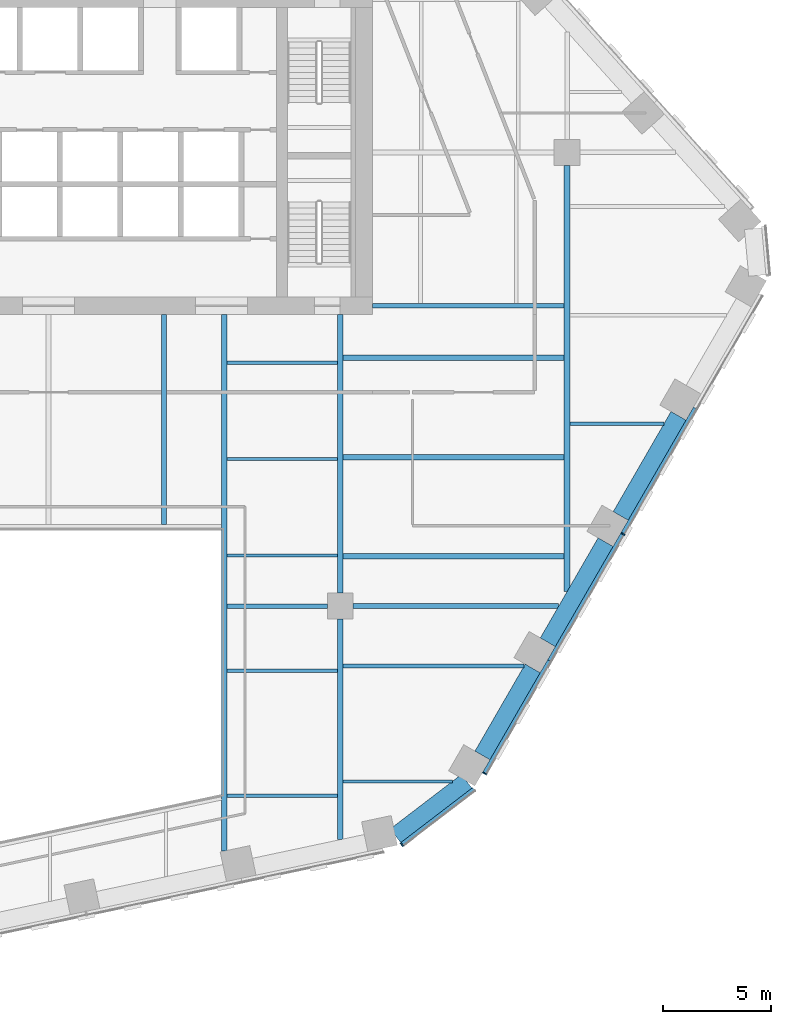
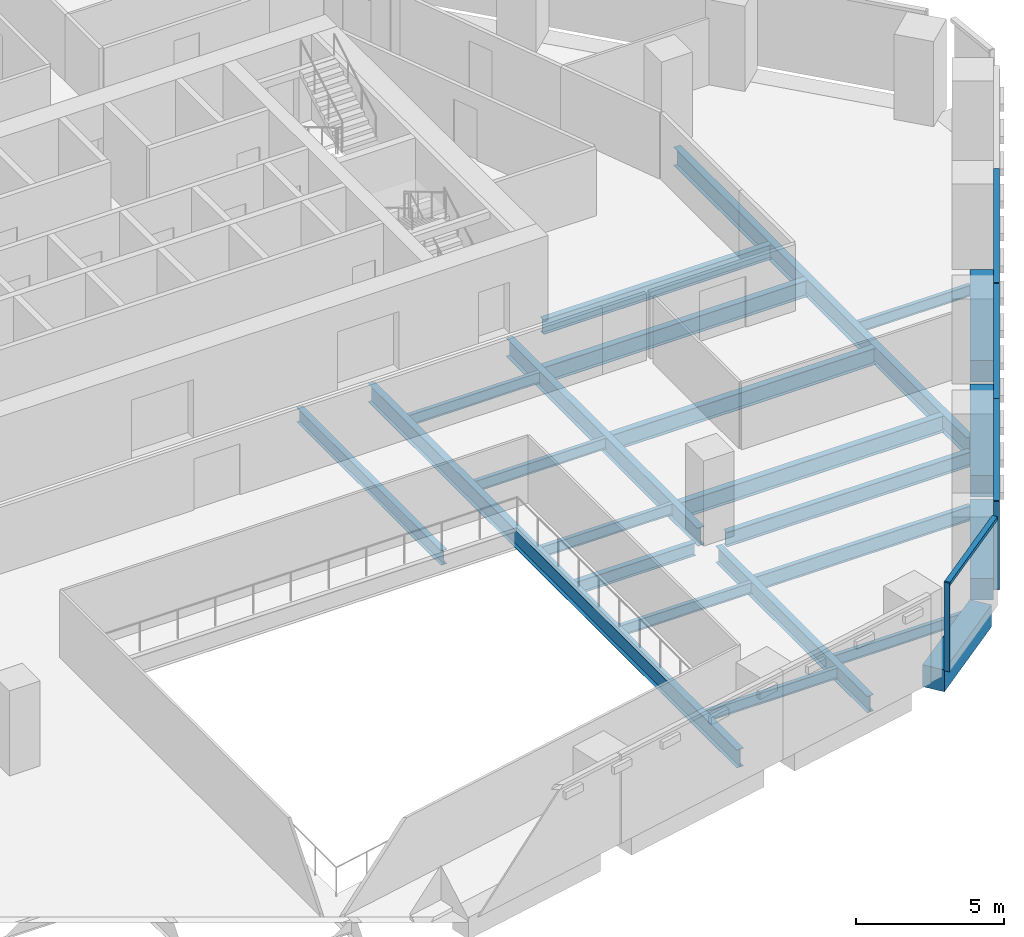
# One storey, part 5 of 17: 23 beams, 7 members, 2 elements without a shape of their own.
"""IFC4 building model written with IfcOpenShell, lengths in metres."""

from ifc_helpers import new_model, si_unit, direction, frame, origin, origin_2d, place, context, subcontext, project, spatial, rectangle, i_section, extrude, material, layer, layer_set, material_profile, profile_set, type_object, element, aggregate, save


model = new_model("IFC4")

# Units and contexts
model_context = context("Model", 3, precision=1e-05, world=origin(), true_north=direction((0.0, 1.0)))
body_context = subcontext(model_context, "Body", "Model", "MODEL_VIEW")
ifc_project = project(units=[si_unit("LENGTHUNIT", "METRE"), si_unit("AREAUNIT", "SQUARE_METRE"), si_unit("VOLUMEUNIT", "CUBIC_METRE"), si_unit("PLANEANGLEUNIT", "RADIAN"), si_unit("MASSUNIT", "GRAM", prefix="KILO")], contexts=[model_context])

# Site, building, storey
site_placement = place(None, origin())
site = spatial("IfcSite", under=ifc_project, at=site_placement, CompositionType="ELEMENT")
building_placement = place(site_placement, origin())
building = spatial("IfcBuilding", under=site, at=building_placement, Name="Isthmus Gate Tower", CompositionType="ELEMENT")
storey_placement = place(building_placement, frame((0.0, 0.0, 126.14990234375)))
storey = spatial("IfcBuildingStorey", under=building, at=storey_placement, Name="L30", CompositionType="ELEMENT", Elevation=126.14990234375)

# Curtain wall, member
ifc_material_1 = material(Name="Aluminium, pale champagne anodised", Category="aluminium")
ifc_layer = layer(ifc_material_1, 0.199951171875)
ifc_layer_set = layer_set([ifc_layer], Name="CW-1 UNITISED CURTAIN WALL 200 DEEP")
curtain_wall_type = type_object("IfcCurtainWallType", Name="CW-1 UNITISED CURTAIN WALL 200 DEEP", PredefinedType="NOTDEFINED", material=ifc_layer_set)
curtain_wall_1_placement = place(storey_placement, origin())
curtain_wall_1 = element("IfcCurtainWall", 1, at=curtain_wall_1_placement, inside=storey, type_object=curtain_wall_type, Name="CW-1 S-SE L30", PredefinedType="NOTDEFINED")
ifc_material_2 = material(Name="Aluminium, pale champagne anodised", Category="aluminium")
ifc_material_profile_1 = material_profile(ifc_material_2, rectangle(XDim=0.06005859375, YDim=0.199951171875, at=origin_2d()), Name="60x200")
ifc_profile_set_1 = profile_set([ifc_material_profile_1], Name="Aluminium, pale champagne anodised")
member_type_1 = type_object("IfcMemberType", Name="CW-1 MULLION 60 X 200", PredefinedType="MULLION", material=ifc_profile_set_1)
member_1_placement = place(storey_placement, frame((16.346435546875, -24.5419921875, 0.0), z_axis=(0.0, 0.0, 1.0), x_axis=(0.794188594387, 0.607671355706, 0.0)))
member_1 = element("IfcMember", 2, at=member_1_placement, type_object=member_type_1, Name="CW-1 mullion", PredefinedType="MULLION", context=body_context, shape_type="SweptSolid", body=[
    extrude(rectangle(XDim=0.06005859375, YDim=0.199951171875, at=origin_2d()), origin(), (0.0, 0.0, 1.0), 3.650146484375),
])

# Curtain wall, members
curtain_wall_2_placement = place(storey_placement, origin())
curtain_wall_2 = element("IfcCurtainWall", 3, at=curtain_wall_2_placement, inside=storey, type_object=curtain_wall_type, Name="CW-1 SE L30", PredefinedType="NOTDEFINED")
member_2_placement = place(storey_placement, frame((20.18115234375, -21.245361328125, 0.0), z_axis=(0.0, 0.0, 1.0), x_axis=(0.5, 0.866025403784, 0.0)))
member_2 = element("IfcMember", 4, at=member_2_placement, type_object=member_type_1, Name="CW-1 mullion", PredefinedType="MULLION", context=body_context, shape_type="SweptSolid", body=[
    extrude(rectangle(XDim=0.06005859375, YDim=0.199951171875, at=origin_2d()), origin(), (0.0, 0.0, 1.0), 3.650146484375),
])
member_3_placement = place(storey_placement, frame((26.5810546875, -10.16015625, 0.0), z_axis=(0.0, 0.0, 1.0), x_axis=(0.5, 0.866025403784, 0.0)))
member_3 = element("IfcMember", 5, at=member_3_placement, type_object=member_type_1, Name="CW-1 mullion", PredefinedType="MULLION", context=body_context, shape_type="SweptSolid", body=[
    extrude(rectangle(XDim=0.06005859375, YDim=0.199951171875, at=origin_2d()), origin(), (0.0, 0.0, 1.0), 3.650146484375),
])

# Member
ifc_material_3 = material(Name="Aluminium, pale champagne anodised", Category="aluminium")
ifc_material_profile_2 = material_profile(ifc_material_3, rectangle(XDim=0.199951171875, YDim=0.139892578125, at=origin_2d()), Name="200x140")
ifc_profile_set_2 = profile_set([ifc_material_profile_2], Name="Aluminium, pale champagne anodised")
member_type_2 = type_object("IfcMemberType", Name="CW-1 TRANSOM 200 X 140", PredefinedType="USERDEFINED", material=ifc_profile_set_2)
member_4_placement = place(storey_placement, frame((16.3701171875, -24.52392578125, 3.580078125), z_axis=(0.79419705805, 0.607660294066, 0.0), x_axis=(-0.607660294066, 0.79419705805, 0.0)))
member_4 = element("IfcMember", 6, at=member_4_placement, type_object=member_type_2, Name="CW-1 transom", ObjectType="TRANSOM", PredefinedType="USERDEFINED", context=body_context, shape_type="SweptSolid", body=[
    extrude(rectangle(XDim=0.199951171875, YDim=0.139892578125, at=origin_2d()), origin(), (0.0, 0.0, 1.0), 4.181640625),
])

aggregate(curtain_wall_1, [member_1, member_4])

member_5_placement = place(storey_placement, frame((20.196044921875, -21.219482421875, 3.580078125), z_axis=(0.499996458184, 0.866027448643, 0.0), x_axis=(-0.866027448643, 0.499996458184, 0.0)))
member_5 = element("IfcMember", 7, at=member_5_placement, type_object=member_type_2, Name="CW-1 transom", ObjectType="TRANSOM", PredefinedType="USERDEFINED", context=body_context, shape_type="SweptSolid", body=[
    extrude(rectangle(XDim=0.199951171875, YDim=0.139892578125, at=origin_2d()), origin(), (0.0, 0.0, 1.0), 5.990234375),
])

member_6_placement = place(storey_placement, frame((23.191162109375, -16.03173828125, 3.580078125), z_axis=(0.499997969693, 0.866026575979, 0.0), x_axis=(-0.866026575979, 0.499997969693, 0.0)))
member_6 = element("IfcMember", 8, at=member_6_placement, type_object=member_type_2, Name="CW-1 transom", ObjectType="TRANSOM", PredefinedType="USERDEFINED", context=body_context, shape_type="SweptSolid", body=[
    extrude(rectangle(XDim=0.199951171875, YDim=0.139892578125, at=origin_2d()), origin(), (0.0, 0.0, 1.0), 6.75),
])

member_7_placement = place(storey_placement, frame((26.59619140625, -10.134033203125, 3.580078125), z_axis=(0.499997283838, 0.866026971956, 0.0), x_axis=(-0.866026971956, 0.499997283838, 0.0)))
member_7 = element("IfcMember", 9, at=member_7_placement, type_object=member_type_2, Name="CW-1 transom", ObjectType="TRANSOM", PredefinedType="USERDEFINED", context=body_context, shape_type="SweptSolid", body=[
    extrude(rectangle(XDim=0.199951171875, YDim=0.139892578125, at=origin_2d()), origin(), (0.0, 0.0, 1.0), 6.68994140625),
])

aggregate(curtain_wall_2, [member_2, member_5, member_6, member_3, member_7])

# Beams
ifc_material_4 = material(Name="Concrete f'c 60 MPa", Category="concrete")
ifc_material_profile_3 = material_profile(ifc_material_4, rectangle(XDim=0.800048828125, YDim=0.89990234375, at=origin_2d()), Name="RC 800X900")
ifc_profile_set_3 = profile_set([ifc_material_profile_3], Name="Concrete f'c 60 MPa")
beam_type_1 = type_object("IfcBeamType", Name="RC SPANDREL 800 X 900", PredefinedType="SPANDREL", material=ifc_profile_set_3)
for number, where, z_axis, x_axis, name in (
    (10, (29.158203125, -4.696533203125, -0.449951171875), (-0.500001594578, -0.866024483152, 0.0), (0.866024483152, -0.500001594578, 0.0), "str-spandrel-L30-07"),
    (11, (25.783203125, -10.542236328125, -0.449951171875), (-0.500001594578, -0.866024483152, 0.0), (0.866024483152, -0.500001594578, 0.0), "str-spandrel-L30-08"),
):
    element("IfcBeam", number, at=place(storey_placement, frame(where, z_axis=z_axis, x_axis=x_axis)), inside=storey, type_object=beam_type_1, Name=name, PredefinedType="SPANDREL", context=body_context, shape_type="SweptSolid", body=[
        extrude(rectangle(XDim=0.800048828125, YDim=0.89990234375, at=origin_2d()), origin(), (0.0, 0.0, 1.0), 5.35009765625),
    ])
beam_1_placement = place(storey_placement, frame((22.408203125, -16.387939453125, -0.449951171875), z_axis=(-0.500001179632, -0.866024722723, 0.0), x_axis=(0.866024722723, -0.500001179632, 0.0)))
element("IfcBeam", 12, at=beam_1_placement, inside=storey, type_object=beam_type_1, Name="str-spandrel-L30-09", PredefinedType="SPANDREL", context=body_context, shape_type="SweptSolid", body=[
    extrude(rectangle(XDim=0.800048828125, YDim=0.89990234375, at=origin_2d()), origin(), (0.0, 0.0, 1.0), 4.650390625),
])
beam_2_placement = place(storey_placement, frame((19.354248046875, -21.611083984375, -0.449951171875), z_axis=(-0.794205941875, -0.607648682949, 0.0), x_axis=(0.607648682949, -0.794205941875, 0.0)))
element("IfcBeam", 13, at=beam_2_placement, inside=storey, type_object=beam_type_1, Name="str-spandrel-L30-10", PredefinedType="SPANDREL", context=body_context, shape_type="SweptSolid", body=[
    extrude(rectangle(XDim=0.800048828125, YDim=0.89990234375, at=origin_2d()), origin(), (0.0, 0.0, 1.0), 4.15234375),
])
ifc_material_5 = material(Name="Structural steel ASTM A992 Gr 50", Category="steel")
ifc_material_profile_4 = material_profile(ifc_material_5, i_section(OverallWidth=0.15234375, OverallDepth=0.45068359375, WebThickness=0.0078125, FlangeThickness=0.010986328125, at=origin_2d()), Name="W18X35")
ifc_profile_set_4 = profile_set([ifc_material_profile_4], Name="Structural steel ASTM A992 Gr 50")
beam_type_2 = type_object("IfcBeamType", Name="STEEL FLOOR BEAM W18X35", PredefinedType="JOIST", material=ifc_profile_set_4)
for number, where, z_axis, x_axis, name in (
    (14, (8.263427734375, -22.283203125, -0.375244140625), (1.0, 0.0, 0.0), (0.0, 1.0, 0.0), "str-beam-L30-09-00"),
    (15, (8.263427734375, -16.49755859375, -0.375244140625), (1.0, 0.0, 0.0), (0.0, 1.0, 0.0), "str-beam-L30-09-01"),
):
    element("IfcBeam", number, at=place(storey_placement, frame(where, z_axis=z_axis, x_axis=x_axis)), inside=storey, type_object=beam_type_2, Name=name, PredefinedType="JOIST", context=body_context, shape_type="SweptSolid", body=[
        extrude(i_section(OverallWidth=0.15234375, OverallDepth=0.45068359375, WebThickness=0.0078125, FlangeThickness=0.010986328125, at=origin_2d()), origin(), (0.0, 0.0, 1.0), 5.109619140625),
    ])
for number, where, z_axis, x_axis, name in (
    (16, (8.263427734375, -11.16259765625, -0.375244140625), (1.0, 0.0, 0.0), (0.0, 1.0, 0.0), "str-beam-L30-10-00"),
    (17, (8.263427734375, -6.697509765625, -0.375244140625), (1.0, 0.0, 0.0), (0.0, 1.0, 0.0), "str-beam-L30-10-01"),
    (18, (8.263427734375, -2.232421875, -0.375244140625), (1.0, 0.0, 0.0), (0.0, 1.0, 0.0), "str-beam-L30-10-02"),
):
    element("IfcBeam", number, at=place(storey_placement, frame(where, z_axis=z_axis, x_axis=x_axis)), inside=storey, type_object=beam_type_2, Name=name, PredefinedType="JOIST", context=body_context, shape_type="SweptSolid", body=[
        extrude(i_section(OverallWidth=0.15234375, OverallDepth=0.45068359375, WebThickness=0.0078125, FlangeThickness=0.010986328125, at=origin_2d()), origin(), (0.0, 0.0, 1.0), 5.104736328125),
    ])
beam_3_placement = place(storey_placement, frame((13.626953125, -21.61767578125, -0.375244140625), z_axis=(1.0, 0.0, 0.0), x_axis=(0.0, 1.0, 0.0)))
element("IfcBeam", 19, at=beam_3_placement, inside=storey, type_object=beam_type_2, Name="str-beam-L30-11-00", PredefinedType="JOIST", context=body_context, shape_type="SweptSolid", body=[
    extrude(i_section(OverallWidth=0.15234375, OverallDepth=0.45068359375, WebThickness=0.0078125, FlangeThickness=0.010986328125, at=origin_2d()), origin(), (0.0, 0.0, 1.0), 5.060302734375),
])
beam_4_placement = place(storey_placement, frame((24.13330078125, -5.0625, -0.375244140625), z_axis=(1.0, 0.0, 0.0), x_axis=(0.0, 1.0, 0.0)))
element("IfcBeam", 20, at=beam_4_placement, inside=storey, type_object=beam_type_2, Name="str-beam-L30-16-00", PredefinedType="JOIST", context=body_context, shape_type="SweptSolid", body=[
    extrude(i_section(OverallWidth=0.15234375, OverallDepth=0.45068359375, WebThickness=0.0078125, FlangeThickness=0.010986328125, at=origin_2d()), origin(), (0.0, 0.0, 1.0), 4.351806640625),
])
ifc_material_6 = material(Name="Structural steel ASTM A992 Gr 50", Category="steel")
ifc_material_profile_5 = material_profile(ifc_material_6, i_section(OverallWidth=0.177734375, OverallDepth=0.60009765625, WebThickness=0.009521484375, FlangeThickness=0.0126953125, at=origin_2d()), Name="W24X55")
ifc_profile_set_5 = profile_set([ifc_material_profile_5], Name="Structural steel ASTM A992 Gr 50")
beam_type_3 = type_object("IfcBeamType", Name="STEEL FLOOR BEAM W24X55", PredefinedType="JOIST", material=ifc_profile_set_5)
beam_5_placement = place(storey_placement, frame((13.626953125, -16.2822265625, -0.449951171875), z_axis=(1.0, 0.0, 0.0), x_axis=(0.0, 1.0, 0.0)))
element("IfcBeam", 21, at=beam_5_placement, inside=storey, type_object=beam_type_3, Name="str-beam-L30-11-01", PredefinedType="JOIST", context=body_context, shape_type="SweptSolid", body=[
    extrude(i_section(OverallWidth=0.177734375, OverallDepth=0.60009765625, WebThickness=0.009521484375, FlangeThickness=0.0126953125, at=origin_2d()), origin(), (0.0, 0.0, 1.0), 8.38037109375),
])
ifc_material_7 = material(Name="Structural steel ASTM A992 Gr 50", Category="steel")
ifc_material_profile_6 = material_profile(ifc_material_7, i_section(OverallWidth=0.228515625, OverallDepth=0.603271484375, WebThickness=0.010986328125, FlangeThickness=0.014404296875, at=origin_2d()), Name="W24X68")
ifc_profile_set_6 = profile_set([ifc_material_profile_6], Name="Structural steel ASTM A992 Gr 50")
beam_type_4 = type_object("IfcBeamType", Name="STEEL FLOOR BEAM W24X68", PredefinedType="JOIST", material=ifc_profile_set_6)
beam_6_placement = place(storey_placement, frame((5.333251953125, -9.7333984375, -0.451416015625), z_axis=(0.0, 1.0, 0.0), x_axis=(-1.0, 0.0, 0.0)))
element("IfcBeam", 22, at=beam_6_placement, inside=storey, type_object=beam_type_4, Name="str-beam-L30-06-02", PredefinedType="JOIST", context=body_context, shape_type="SweptSolid", body=[
    extrude(i_section(OverallWidth=0.228515625, OverallDepth=0.603271484375, WebThickness=0.010986328125, FlangeThickness=0.014404296875, at=origin_2d()), origin(), (0.0, 0.0, 1.0), 9.7333984375),
])
ifc_material_8 = material(Name="Structural steel ASTM A992 Gr 50", Category="steel")
ifc_material_profile_7 = material_profile(ifc_material_8, i_section(OverallWidth=0.25390625, OverallDepth=0.679443359375, WebThickness=0.010986328125, FlangeThickness=0.015869140625, at=origin_2d()), Name="W27X84")
ifc_profile_set_7 = profile_set([ifc_material_profile_7], Name="Structural steel ASTM A992 Gr 50")
beam_type_5 = type_object("IfcBeamType", Name="STEEL FLOOR BEAM W27X84", PredefinedType="JOIST", material=ifc_profile_set_7)
for number, where, z_axis, x_axis, name in (
    (23, (13.6318359375, -11.202392578125, -0.489501953125), (1.0, 0.0, 0.0), (0.0, 1.0, 0.0), "str-beam-L30-12-00"),
    (24, (13.6318359375, -6.607177734375, -0.489501953125), (1.0, 0.0, 0.0), (0.0, 1.0, 0.0), "str-beam-L30-12-01"),
    (25, (13.6318359375, -2.011962890625, -0.489501953125), (1.0, 0.0, 0.0), (0.0, 1.0, 0.0), "str-beam-L30-12-02"),
):
    element("IfcBeam", number, at=place(storey_placement, frame(where, z_axis=z_axis, x_axis=x_axis)), inside=storey, type_object=beam_type_5, Name=name, PredefinedType="JOIST", context=body_context, shape_type="SweptSolid", body=[
        extrude(i_section(OverallWidth=0.25390625, OverallDepth=0.679443359375, WebThickness=0.010986328125, FlangeThickness=0.015869140625, at=origin_2d()), origin(), (0.0, 0.0, 1.0), 10.23486328125),
    ])
ifc_material_9 = material(Name="Structural steel ASTM A992 Gr 50", Category="steel")
ifc_material_profile_8 = material_profile(ifc_material_9, i_section(OverallWidth=0.20947265625, OverallDepth=0.533447265625, WebThickness=0.009521484375, FlangeThickness=0.015869140625, at=origin_2d()), Name="W21X62")
ifc_profile_set_8 = profile_set([ifc_material_profile_8], Name="Structural steel ASTM A992 Gr 50")
beam_type_6 = type_object("IfcBeamType", Name="STEEL GIRDER W21X62", PredefinedType="BEAM", material=ifc_profile_set_8)
beam_7_placement = place(storey_placement, frame((8.263427734375, -13.5, -0.41650390625), z_axis=(1.0, 0.0, 0.0), x_axis=(0.0, 1.0, 0.0)))
element("IfcBeam", 26, at=beam_7_placement, inside=storey, type_object=beam_type_6, Name="str-girder-L30-03", PredefinedType="BEAM", context=body_context, shape_type="SweptSolid", body=[
    extrude(i_section(OverallWidth=0.20947265625, OverallDepth=0.533447265625, WebThickness=0.009521484375, FlangeThickness=0.015869140625, at=origin_2d()), origin(), (0.0, 0.0, 1.0), 4.636474609375),
])
ifc_material_10 = material(Name="Structural steel ASTM A992 Gr 50", Category="steel")
ifc_material_profile_9 = material_profile(ifc_material_10, i_section(OverallWidth=0.228515625, OverallDepth=0.6064453125, WebThickness=0.010986328125, FlangeThickness=0.017578125, at=origin_2d()), Name="W24X76")
ifc_profile_set_9 = profile_set([ifc_material_profile_9], Name="Structural steel ASTM A992 Gr 50")
beam_type_7 = type_object("IfcBeamType", Name="STEEL GIRDER W24X76", PredefinedType="BEAM", material=ifc_profile_set_9)
beam_8_placement = place(storey_placement, frame((14.10009765625, -13.5, -0.453125), z_axis=(1.0, 0.0, 0.0), x_axis=(0.0, 1.0, 0.0)))
element("IfcBeam", 27, at=beam_8_placement, inside=storey, type_object=beam_type_7, Name="str-girder-L30-04", PredefinedType="BEAM", context=body_context, shape_type="SweptSolid", body=[
    extrude(i_section(OverallWidth=0.228515625, OverallDepth=0.6064453125, WebThickness=0.010986328125, FlangeThickness=0.017578125, at=origin_2d()), origin(), (0.0, 0.0, 1.0), 9.513427734375),
])
beam_9_placement = place(storey_placement, frame((15.0, 0.39990234375, -0.453125), z_axis=(1.0, 0.0, 0.0), x_axis=(0.0, 1.0, 0.0)))
element("IfcBeam", 28, at=beam_9_placement, inside=storey, type_object=beam_type_7, Name="str-girder-L30-14", PredefinedType="BEAM", context=body_context, shape_type="SweptSolid", body=[
    extrude(i_section(OverallWidth=0.228515625, OverallDepth=0.6064453125, WebThickness=0.010986328125, FlangeThickness=0.017578125, at=origin_2d()), origin(), (0.0, 0.0, 1.0), 8.86669921875),
])
ifc_material_11 = material(Name="Structural steel ASTM A992 Gr 50", Category="steel")
ifc_material_profile_10 = material_profile(ifc_material_11, i_section(OverallWidth=0.25390625, OverallDepth=0.679443359375, WebThickness=0.010986328125, FlangeThickness=0.015869140625, at=origin_2d()), Name="W27X84")
ifc_profile_set_10 = profile_set([ifc_material_profile_10], Name="Structural steel ASTM A992 Gr 50")
beam_type_8 = type_object("IfcBeamType", Name="STEEL GIRDER W27X84", PredefinedType="BEAM", material=ifc_profile_set_10)
beam_10_placement = place(storey_placement, frame((13.5, -24.3125, -0.489501953125), z_axis=(0.0, 1.0, 0.0), x_axis=(-1.0, 0.0, 0.0)))
element("IfcBeam", 29, at=beam_10_placement, inside=storey, type_object=beam_type_8, Name="str-girder-L30-09", PredefinedType="BEAM", context=body_context, shape_type="SweptSolid", body=[
    extrude(i_section(OverallWidth=0.25390625, OverallDepth=0.679443359375, WebThickness=0.010986328125, FlangeThickness=0.015869140625, at=origin_2d()), origin(), (0.0, 0.0, 1.0), 10.21240234375),
])
ifc_material_12 = material(Name="Structural steel ASTM A992 Gr 50", Category="steel")
ifc_material_profile_11 = material_profile(ifc_material_12, i_section(OverallWidth=0.2666015625, OverallDepth=0.7587890625, WebThickness=0.014404296875, FlangeThickness=0.01904296875, at=origin_2d()), Name="W30X108")
ifc_profile_set_11 = profile_set([ifc_material_profile_11], Name="Structural steel ASTM A992 Gr 50")
beam_type_9 = type_object("IfcBeamType", Name="STEEL GIRDER W30X108", PredefinedType="BEAM", material=ifc_profile_set_11)
beam_11_placement = place(storey_placement, frame((24.0, -12.830810546875, -0.529296875), z_axis=(0.0, 1.0, 0.0), x_axis=(-1.0, 0.0, 0.0)))
element("IfcBeam", 30, at=beam_11_placement, inside=storey, type_object=beam_type_9, Name="str-girder-L30-11", PredefinedType="BEAM", context=body_context, shape_type="SweptSolid", body=[
    extrude(i_section(OverallWidth=0.2666015625, OverallDepth=0.7587890625, WebThickness=0.014404296875, FlangeThickness=0.01904296875, at=origin_2d()), origin(), (0.0, 0.0, 1.0), 19.730712890625),
])
ifc_material_13 = material(Name="Structural steel ASTM A992 Gr 50", Category="steel")
ifc_material_profile_12 = material_profile(ifc_material_13, i_section(OverallWidth=0.263427734375, OverallDepth=0.749267578125, WebThickness=0.0126953125, FlangeThickness=0.015869140625, at=origin_2d()), Name="W30X90")
ifc_profile_set_12 = profile_set([ifc_material_profile_12], Name="Structural steel ASTM A992 Gr 50")
beam_type_10 = type_object("IfcBeamType", Name="STEEL GIRDER W30X90", PredefinedType="BEAM", material=ifc_profile_set_12)
beam_12_placement = place(storey_placement, frame((13.5, -12.89990234375, -0.524658203125), z_axis=(0.0, 1.0, 0.0), x_axis=(-1.0, 0.0, 0.0)))
element("IfcBeam", 31, at=beam_12_placement, inside=storey, type_object=beam_type_10, Name="str-girder-L30-10", PredefinedType="BEAM", context=body_context, shape_type="SweptSolid", body=[
    extrude(i_section(OverallWidth=0.263427734375, OverallDepth=0.749267578125, WebThickness=0.0126953125, FlangeThickness=0.015869140625, at=origin_2d()), origin(), (0.0, 0.0, 1.0), 12.89990234375),
])
ifc_material_14 = material(Name="Structural steel ASTM A992 Gr 50", Category="steel")
ifc_material_profile_13 = material_profile(ifc_material_14, i_section(OverallWidth=0.263427734375, OverallDepth=0.749267578125, WebThickness=0.0126953125, FlangeThickness=0.015869140625, at=origin_2d()), Name="W30X90")
ifc_profile_set_13 = profile_set([ifc_material_profile_13], Name="Structural steel ASTM A992 Gr 50")
beam_type_11 = type_object("IfcBeamType", Name="STEEL TRIMMER W30X90", PredefinedType="BEAM", material=ifc_profile_set_13)
beam_13_placement = place(storey_placement, frame((8.1318359375, -24.84033203125, -0.524658203125), z_axis=(0.0, 1.0, 0.0), x_axis=(-1.0, 0.0, 0.0)))
element("IfcBeam", 32, at=beam_13_placement, inside=storey, type_object=beam_type_11, Name="str-trimmer-L30-01", PredefinedType="BEAM", context=body_context, shape_type="SweptSolid", body=[
    extrude(i_section(OverallWidth=0.263427734375, OverallDepth=0.749267578125, WebThickness=0.0126953125, FlangeThickness=0.015869140625, at=origin_2d()), origin(), (0.0, 0.0, 1.0), 24.84033203125),
])

save(model, "model.ifc")
